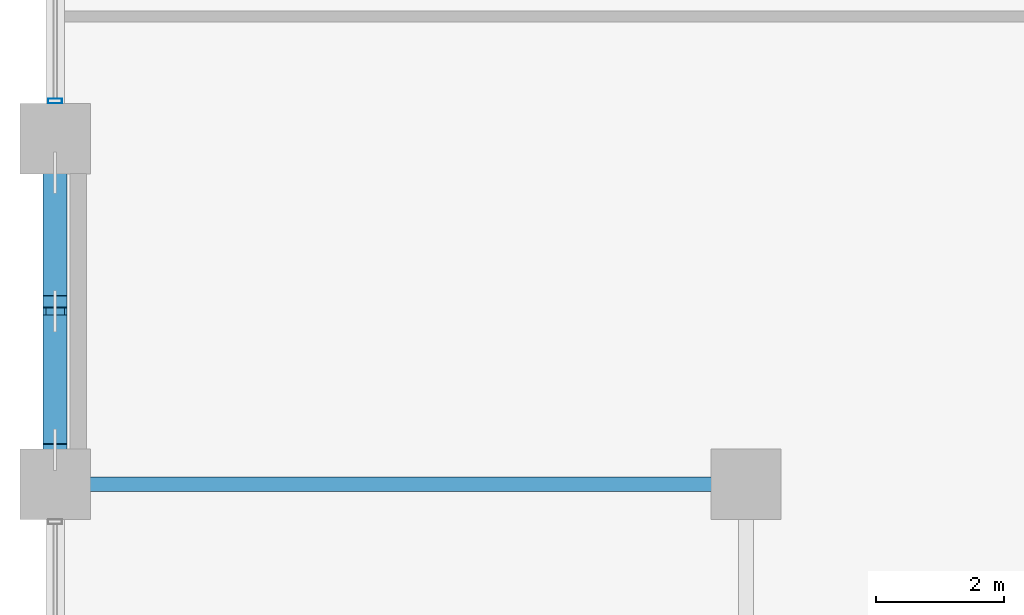
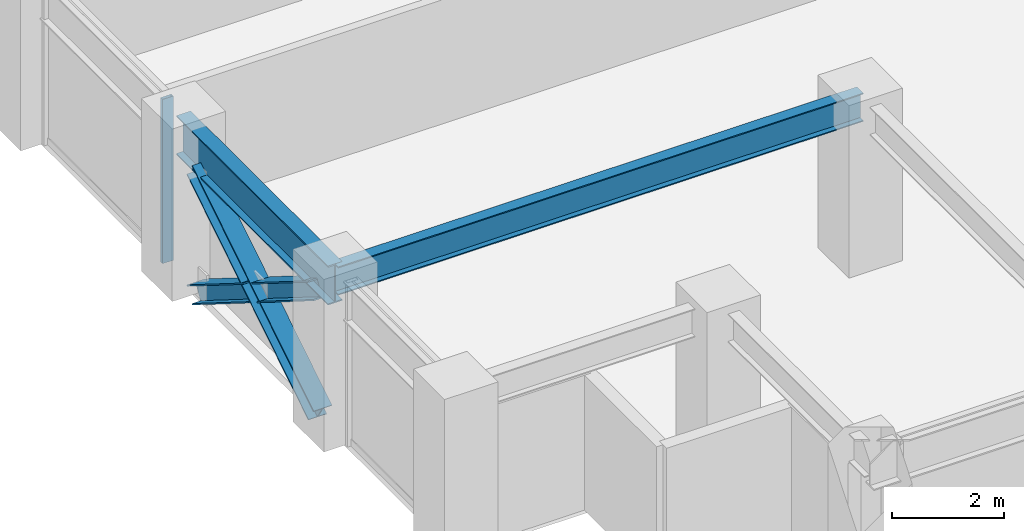
# One storey, part 3 of 25: 4 members, 2 beams, 1 element without a shape of its own.
"""IFC4 building model written with IfcOpenShell, lengths in metres."""

from ifc_helpers import new_model, si_unit, direction, frame, origin, origin_2d, place, context, subcontext, project, spatial, hollow_rectangle, i_section, extrude, material, layer, layer_set, material_profile, profile_set, type_object, element, aggregate, save


model = new_model("IFC4")

# Units and contexts
model_context = context("Model", 3, precision=1e-05, world=origin(), true_north=direction((0.0, 1.0)))
body_context = subcontext(model_context, "Body", "Model", "MODEL_VIEW")
ifc_project = project(units=[si_unit("LENGTHUNIT", "METRE"), si_unit("AREAUNIT", "SQUARE_METRE"), si_unit("VOLUMEUNIT", "CUBIC_METRE"), si_unit("PLANEANGLEUNIT", "RADIAN"), si_unit("MASSUNIT", "GRAM", prefix="KILO")], contexts=[model_context])

# Site, building, storey
site_placement = place(None, origin())
site = spatial("IfcSite", under=ifc_project, at=site_placement, CompositionType="ELEMENT")
building_placement = place(site_placement, origin())
building = spatial("IfcBuilding", under=site, at=building_placement, Name="Surkhivell Harbour Commons", CompositionType="ELEMENT")
storey_placement = place(building_placement, frame((0.0, 0.0, 120.75)))
storey = spatial("IfcBuildingStorey", under=building, at=storey_placement, Name="L31", CompositionType="ELEMENT", Elevation=120.75)

# Beams
ifc_material_1 = material(Name="Steel S355", Category="steel")
ifc_material_profile_1 = material_profile(ifc_material_1, i_section(OverallWidth=0.22998046875, OverallDepth=0.616943359375, WebThickness=0.01318359375, FlangeThickness=0.022216796875, at=origin_2d()), Name="UB610x229x140")
ifc_profile_set_1 = profile_set([ifc_material_profile_1], Name="Steel S355")
beam_type_1 = type_object("IfcBeamType", Name="BM-GRD-610B", PredefinedType="BEAM", material=ifc_profile_set_1)
beam_1_placement = place(storey_placement, frame((-32.39990234375, -16.199951171875, 3.261474609375), z_axis=(1.0, 0.0, 0.0), x_axis=(0.0, 1.0, 0.0)))
element("IfcBeam", 1, at=beam_1_placement, inside=storey, type_object=beam_type_1, Name="L31 Floor Girder (-32.4,-16.2)", PredefinedType="BEAM", context=body_context, shape_type="SweptSolid", body=[
    extrude(i_section(OverallWidth=0.22998046875, OverallDepth=0.616943359375, WebThickness=0.01318359375, FlangeThickness=0.022216796875, at=origin_2d()), origin(), (0.0, 0.0, 1.0), 10.7998046875),
])
ifc_material_2 = material(Name="Steel S460", Category="steel")
ifc_material_profile_2 = material_profile(ifc_material_2, i_section(OverallWidth=0.2939453125, OverallDepth=0.85107421875, WebThickness=0.01611328125, FlangeThickness=0.02685546875, at=origin_2d()), Name="UB838x292x226")
ifc_profile_set_2 = profile_set([ifc_material_profile_2], Name="Steel S460")
beam_type_2 = type_object("IfcBeamType", Name="BM-SPN-838", PredefinedType="SPANDREL", material=ifc_profile_set_2)
beam_2_placement = place(storey_placement, frame((-32.39990234375, -16.199951171875, 3.14453125), z_axis=(0.0, 1.0, 0.0), x_axis=(-1.0, 0.0, 0.0)))
element("IfcBeam", 2, at=beam_2_placement, inside=storey, type_object=beam_type_2, Name="L31 Tube Spandrel (-32.4,-16.2)", PredefinedType="SPANDREL", context=body_context, shape_type="SweptSolid", body=[
    extrude(i_section(OverallWidth=0.2939453125, OverallDepth=0.85107421875, WebThickness=0.01611328125, FlangeThickness=0.02685546875, at=origin_2d()), origin(), (0.0, 0.0, 1.0), 5.39990234375),
])

# Curtain wall, member
ifc_material_3 = material(Name="Anodised pale-metal aluminium and insulated glazing", Category="aluminium")
ifc_layer = layer(ifc_material_3, 0.205078125)
ifc_layer_set = layer_set([ifc_layer], Name="Anodised pale-metal aluminium and insulated glazing")
curtain_wall_type = type_object("IfcCurtainWallType", Name="CW-SYS-Z2", PredefinedType="NOTDEFINED", material=ifc_layer_set)
curtain_wall_placement = place(storey_placement, origin())
curtain_wall = element("IfcCurtainWall", 3, at=curtain_wall_placement, inside=storey, type_object=curtain_wall_type, Name="L31 Curtain Wall CW-L31-E12S1", PredefinedType="NOTDEFINED")
ifc_material_4 = material(Name="Anodised pale-metal aluminium alloy 6063-T6", Category="aluminium")
ifc_material_profile_3 = material_profile(ifc_material_4, hollow_rectangle(XDim=0.074951171875, YDim=0.219970703125, WallThickness=0.00390625, at=origin_2d()), Name="ALU-MULL-75x220")
ifc_profile_set_3 = profile_set([ifc_material_profile_3], Name="Anodised pale-metal aluminium alloy 6063-T6")
member_type_1 = type_object("IfcMemberType", Name="CWM-220", PredefinedType="MULLION", material=ifc_profile_set_3)
member_1_placement = place(storey_placement, frame((-32.39990234375, -10.21044921875, 0.0), z_axis=(0.0, 0.0, 1.0), x_axis=(0.0, -1.0, 0.0)))
member_1 = element("IfcMember", 4, at=member_1_placement, type_object=member_type_1, Name="CW-Z2 mullion 7", PredefinedType="MULLION", context=body_context, shape_type="SweptSolid", body=[
    extrude(hollow_rectangle(XDim=0.074951171875, YDim=0.219970703125, WallThickness=0.00390625, at=origin_2d()), origin(), (0.0, 0.0, 1.0), 3.570068359375),
])
aggregate(curtain_wall, [member_1])

# Members
ifc_material_profile_4 = material_profile(ifc_material_2, i_section(OverallWidth=0.375, OverallDepth=0.375, WebThickness=0.0166015625, FlangeThickness=0.027099609375, at=origin_2d()), Name="UC356x368x202")
ifc_profile_set_4 = profile_set([ifc_material_profile_4], Name="Steel S460")
member_type_2 = type_object("IfcMemberType", Name="MEM-BRC-UC356", PredefinedType="BRACE", material=ifc_profile_set_4)
member_2_placement = place(storey_placement, frame((-32.39990234375, -15.6650390625, 0.008056640625), z_axis=(0.0, 0.847246015888, 0.531200704594), x_axis=(-1.0, 0.0, 0.0)))
element("IfcMember", 5, at=member_2_placement, inside=storey, type_object=member_type_2, Name="L31 Perimeter Mega-Brace MB- 10", PredefinedType="BRACE", context=body_context, shape_type="SweptSolid", body=[
    extrude(i_section(OverallWidth=0.375, OverallDepth=0.375, WebThickness=0.0166015625, FlangeThickness=0.027099609375, at=origin_2d()), origin(), (0.0, 0.0, 1.0), 5.11083984375),
])
member_3_placement = place(storey_placement, frame((-32.39990234375, -11.3349609375, 0.008056640625), z_axis=(0.0, -0.847206308526, 0.53126403115), x_axis=(1.0, 0.0, 0.0)))
element("IfcMember", 6, at=member_3_placement, inside=storey, type_object=member_type_2, Name="L31 Perimeter Mega-Brace MB- 11", PredefinedType="BRACE", context=body_context, shape_type="SweptSolid", body=[
    extrude(i_section(OverallWidth=0.375, OverallDepth=0.375, WebThickness=0.0166015625, FlangeThickness=0.027099609375, at=origin_2d()), origin(), (0.0, 0.0, 1.0), 2.37548828125),
])
member_4_placement = place(storey_placement, frame((-32.39990234375, -13.652587890625, 1.461181640625), z_axis=(0.0, -0.84725256761, 0.53119025469), x_axis=(1.0, 0.0, 0.0)))
element("IfcMember", 7, at=member_4_placement, inside=storey, type_object=member_type_2, Name="L31 Perimeter Mega-Brace MB- 12", PredefinedType="BRACE", context=body_context, shape_type="SweptSolid", body=[
    extrude(i_section(OverallWidth=0.375, OverallDepth=0.375, WebThickness=0.0166015625, FlangeThickness=0.027099609375, at=origin_2d()), origin(), (0.0, 0.0, 1.0), 2.375244140625),
])

save(model, "model.ifc")
